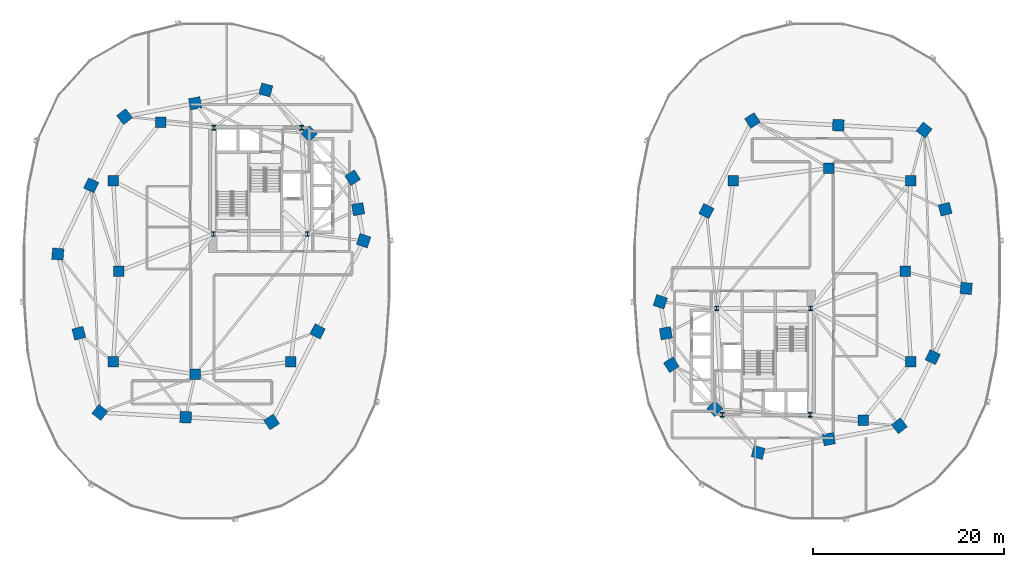
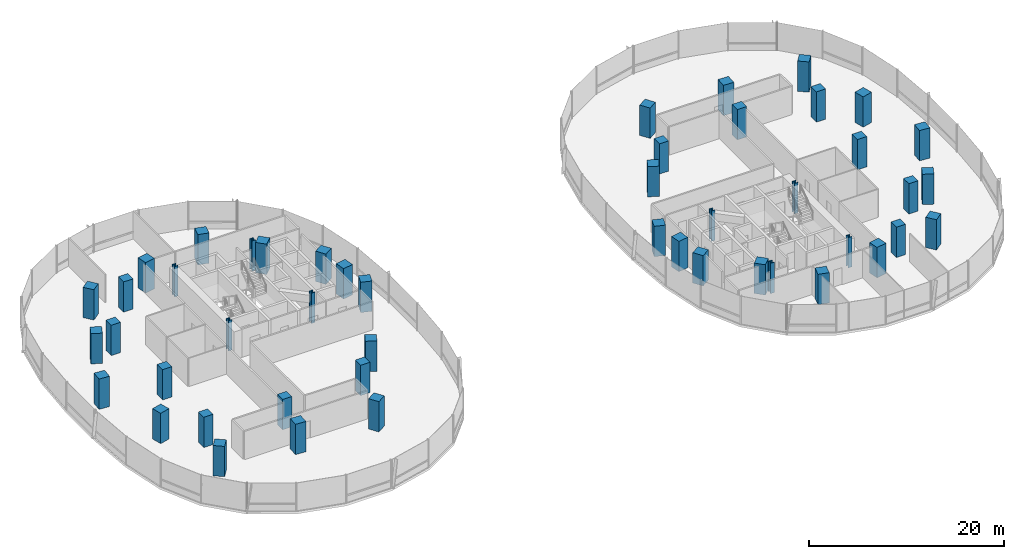
# One storey, part 1 of 21: 48 columns.
"""IFC4 building model written with IfcOpenShell, lengths in metres."""

import ifcopenshell
import ifcopenshell.guid

model = None  # the IFC model being written
_history = None  # IfcOwnerHistory: only IFC2X3 demands one
_inside = {}  # id of a spatial element -> (the spatial element, [elements in it])
_under = {}  # id of a project, library or spatial element -> (it, [spatial elements below it])
_declared = {}  # id of a project -> (the project, [libraries it declares])
_typed = {}  # id of a type object -> (the type object, [elements of that type])
_made_of = {}  # id of a material, layer set ... -> (it, [elements and type objects made of it])


def new_model(schema):
    """Start an empty IFC model of exactly this schema.

    Asked for "IFC4X3", IfcOpenShell would pick the latest addendum, in which some entities
    have other attributes; the version numbers below select the first issue.
    IFC2X3 requires an IfcOwnerHistory on every rooted entity: one is made here for all.
    """
    global model, _history
    if schema == "IFC4X3":
        model = ifcopenshell.file(schema_version=(4, 3, 0, 0))
    else:
        model = ifcopenshell.file(schema=schema)
    _inside.clear()
    _under.clear()
    _declared.clear()
    _typed.clear()
    _made_of.clear()
    _history = None
    if model.schema == "IFC2X3":
        org = make("IfcOrganization", Name="unknown")
        user = make(
            "IfcPersonAndOrganization",
            ThePerson=make("IfcPerson", FamilyName="unknown"),
            TheOrganization=org,
        )
        app = make(
            "IfcApplication",
            ApplicationDeveloper=org,
            Version="unknown",
            ApplicationFullName="unknown",
            ApplicationIdentifier="unknown",
        )
        _history = make(
            "IfcOwnerHistory",
            OwningUser=user,
            OwningApplication=app,
            ChangeAction="ADDED",
            CreationDate=0,
        )
    return model


def make(cls, **values):
    """One entity of the class cls with the attributes given. An attribute that is None is left unset."""
    return model.create_entity(
        cls, **{name: value for name, value in values.items() if value is not None}
    )


def rooted(cls, **values):
    """An entity with a GlobalId (a new one), such as an element, a storey or a relation."""
    return make(cls, GlobalId=ifcopenshell.guid.new(), OwnerHistory=_history, **values)


def si_unit(unit_type, name, prefix=None):
    """IfcSIUnit, for example si_unit("LENGTHUNIT", "METRE", prefix="MILLI")."""
    return make("IfcSIUnit", UnitType=unit_type, Prefix=prefix, Name=name)


def assignment(units):
    """IfcUnitAssignment: the units of a project."""
    return None if units is None else make("IfcUnitAssignment", Units=units)


def point(xyz):
    """IfcCartesianPoint."""
    return None if xyz is None else make("IfcCartesianPoint", Coordinates=xyz)


def direction(xyz):
    """IfcDirection."""
    return None if xyz is None else make("IfcDirection", DirectionRatios=xyz)


def frame(location, z_axis=None, x_axis=None):
    """IfcAxis2Placement3D, a coordinate frame: its origin and axes. An axis left out is left unset."""
    return make(
        "IfcAxis2Placement3D",
        Location=point(location),
        Axis=direction(z_axis),
        RefDirection=direction(x_axis),
    )


def frame_2d(location, x_axis=None):
    """IfcAxis2Placement2D, a coordinate frame in the plane: its origin and x axis."""
    return make(
        "IfcAxis2Placement2D", Location=point(location), RefDirection=direction(x_axis)
    )


def origin():
    """The frame at (0, 0, 0) with its axes left unset."""
    return frame((0.0, 0.0, 0.0))


def origin_2d():
    """The frame at (0, 0) in the plane with its x axis left unset."""
    return frame_2d((0.0, 0.0))


def place(relative_to, where):
    """IfcLocalPlacement: puts the frame where relative to a parent placement (None: the world)."""
    return make(
        "IfcLocalPlacement", PlacementRelTo=relative_to, RelativePlacement=where
    )


def context(
    kind, dimensions, precision=None, world=None, true_north=None, identifier=None
):
    """IfcGeometricRepresentationContext, for example the 3D "Model" context."""
    return make(
        "IfcGeometricRepresentationContext",
        ContextIdentifier=identifier,
        ContextType=kind,
        CoordinateSpaceDimension=dimensions,
        Precision=precision,
        WorldCoordinateSystem=world,
        TrueNorth=true_north,
    )


def subcontext(parent, identifier, kind, view, scale=None):
    """IfcGeometricRepresentationSubContext, for example "Body" below "Model"."""
    return make(
        "IfcGeometricRepresentationSubContext",
        ContextIdentifier=identifier,
        ContextType=kind,
        ParentContext=parent,
        TargetScale=scale,
        TargetView=view,
    )


def project(units=None, contexts=None):
    """IfcProject with its units and contexts."""
    return rooted(
        "IfcProject",
        Name="project",
        RepresentationContexts=contexts,
        UnitsInContext=assignment(units),
    )


def spatial(cls, under=None, at=None, **own):
    """A site, building, storey or space (cls), placed at a placement, below another one or the project."""
    s = rooted(cls, ObjectPlacement=at, **own)
    if under is not None:
        _under.setdefault(under.id(), (under, []))[1].append(s)
    return s


def profile(cls, at=None, kind="AREA", **sizes):
    """A parametric profile (cls). Its sizes go by their IFC names, for example OverallWidth=200.0."""
    return make(cls, ProfileType=kind, Position=at, **sizes)


def rectangle(**sizes):
    """IfcRectangleProfileDef."""
    return profile("IfcRectangleProfileDef", **sizes)


def i_section(**sizes):
    """IfcIShapeProfileDef."""
    return profile("IfcIShapeProfileDef", **sizes)


def extrude(swept, where, along, depth):
    """IfcExtrudedAreaSolid: the profile swept, set in the frame where, extruded along a direction by depth."""
    return make(
        "IfcExtrudedAreaSolid",
        SweptArea=swept,
        Position=where,
        ExtrudedDirection=direction(along),
        Depth=depth,
    )


def shape(context_of_items, identifier, shape_type, items):
    """IfcShapeRepresentation: the items that make up one representation, for example the "Body"."""
    return make(
        "IfcShapeRepresentation",
        ContextOfItems=context_of_items,
        RepresentationIdentifier=identifier,
        RepresentationType=shape_type,
        Items=items,
    )


def material(Name=None, Category=None):
    """IfcMaterial."""
    return make("IfcMaterial", Name=Name, Category=Category)


def material_profile(
    of_material, cross_section, Name=None, Category=None, Priority=None
):
    """IfcMaterialProfile: a cross section and its material."""
    return make(
        "IfcMaterialProfile",
        Name=Name,
        Material=of_material,
        Profile=cross_section,
        Priority=Priority,
        Category=Category,
    )


def profile_set(profiles, Name=None, composite=None):
    """IfcMaterialProfileSet."""
    return make(
        "IfcMaterialProfileSet",
        Name=Name,
        MaterialProfiles=profiles,
        CompositeProfile=composite,
    )


def made_of(thing, what):
    """Note that an element or type object is made of a material, layer set ...; save() writes the relation."""
    if what is not None:
        _made_of.setdefault(what.id(), (what, []))[1].append(thing)
    return thing


def type_object(cls, material=None, **own):
    """A type object (cls), such as IfcWallType, which elements share."""
    return made_of(rooted(cls, **own), material)


def element(
    cls,
    number,
    at=None,
    inside=None,
    cuts=None,
    type_object=None,
    material=None,
    context=None,
    identifier="Body",
    shape_type=None,
    held_by="IfcProductDefinitionShape",
    body=None,
    shapes=None,
    **own,
):
    """One element of the class cls, such as IfcWall. Its Tag is "e" and its number.

    at: its placement. inside: the storey or other place that contains it. cuts: it is an
    opening in that element (IfcRelVoidsElement). A single representation is given by context,
    identifier, shape_type and body (its items); several are given by shapes. held_by: the class
    of the entity that holds the representations. save() writes the other relations.
    """
    e = rooted(cls, Tag="e%d" % number, ObjectPlacement=at, **own)
    if body is not None:
        shapes = [shape(context, identifier, shape_type, body)]
    if shapes is not None:
        e.Representation = make(held_by, Representations=shapes)
    if inside is not None:
        _inside.setdefault(inside.id(), (inside, []))[1].append(e)
    if cuts is not None:
        rooted(
            "IfcRelVoidsElement", RelatingBuildingElement=cuts, RelatedOpeningElement=e
        )
    if type_object is not None:
        _typed.setdefault(type_object.id(), (type_object, []))[1].append(e)
    return made_of(e, material)


def aggregate(whole, parts):
    """IfcRelAggregates: a whole, such as a stair, and the parts it consists of."""
    return rooted("IfcRelAggregates", RelatingObject=whole, RelatedObjects=parts)


def save(model, path):
    """Write the relations noted so far, then the file.

    IfcRelAggregates (storeys below a building ...), IfcRelContainedInSpatialStructure (elements
    in a storey), IfcRelDefinesByType, IfcRelAssociatesMaterial and IfcRelDeclares: one each for
    every whole, place, type object, material and project.
    """
    for whole, parts in _under.values():
        aggregate(whole, parts)
    for where, things in _inside.values():
        rooted(
            "IfcRelContainedInSpatialStructure",
            RelatedElements=things,
            RelatingStructure=where,
        )
    for kind, things in _typed.values():
        rooted("IfcRelDefinesByType", RelatedObjects=things, RelatingType=kind)
    for what, things in _made_of.values():
        rooted("IfcRelAssociatesMaterial", RelatedObjects=things, RelatingMaterial=what)
    for by, libraries in _declared.values():
        rooted("IfcRelDeclares", RelatingContext=by, RelatedDefinitions=libraries)
    model.write(path)


model = new_model("IFC4")

# Units and contexts
model_context = context("Model", 3, precision=1e-05, world=origin(), true_north=direction((0.0, 1.0)))
body_context = subcontext(model_context, "Body", "Model", "MODEL_VIEW")
ifc_project = project(units=[si_unit("LENGTHUNIT", "METRE"), si_unit("AREAUNIT", "SQUARE_METRE"), si_unit("VOLUMEUNIT", "CUBIC_METRE"), si_unit("PLANEANGLEUNIT", "RADIAN"), si_unit("MASSUNIT", "GRAM", prefix="KILO"), si_unit("THERMODYNAMICTEMPERATUREUNIT", "KELVIN"), si_unit("POWERUNIT", "WATT")], contexts=[model_context])

# Site, building, storey
site_placement = place(None, origin())
site = spatial("IfcSite", under=ifc_project, at=site_placement, CompositionType="ELEMENT")
building_placement = place(site_placement, origin())
building = spatial("IfcBuilding", under=site, at=building_placement, Name="Cundina Bronze Exchange", CompositionType="ELEMENT")
storey_placement = place(building_placement, frame((0.0, 0.0, 73.39990234375)))
storey = spatial("IfcBuildingStorey", under=building, at=storey_placement, Name="L18", CompositionType="ELEMENT", Elevation=73.39990234375)

# Columns
ifc_material_1 = material(Name="Steel ASTM A992 Grade 50", Category="steel")
ifc_material_profile_1 = material_profile(ifc_material_1, i_section(OverallWidth=0.431884765625, OverallDepth=0.498046875, WebThickness=0.0556640625, FlangeThickness=0.0888671875, FilletRadius=0.01806640625, at=origin_2d()), Name="W14X500", Category="steel")
ifc_profile_set_1 = profile_set([ifc_material_profile_1], Name="Steel ASTM A992 Grade 50")
column_type_1 = type_object("IfcColumnType", Name="COL-STL-W14A", PredefinedType="COLUMN", material=ifc_profile_set_1)
for number, where, z_axis, x_axis, name in (
    (1, (-31.300048828125, 3.89990234375, 0.0), (0.0, 0.0, 1.0), (1.0, 0.0, 0.0), "L18 Core Anchor Column W1"),
    (2, (-21.449951171875, 3.89990234375, 0.0), (0.0, 0.0, 1.0), (1.0, 0.0, 0.0), "L18 Core Anchor Column W2"),
    (3, (-22.050048828125, 15.050048828125, 0.0), (0.0, 0.0, 1.0), (1.0, 0.0, 0.0), "L18 Core Anchor Column W3"),
    (4, (-31.25, 15.050048828125, 0.0), (0.0, 0.0, 1.0), (1.0, 0.0, 0.0), "L18 Core Anchor Column W4"),
    (5, (31.300048828125, -3.89990234375, 0.0), (0.0, 0.0, 1.0), (1.0, 0.0, 0.0), "L18 Core Anchor Column E1"),
    (6, (21.449951171875, -3.89990234375, 0.0), (0.0, 0.0, 1.0), (1.0, 0.0, 0.0), "L18 Core Anchor Column E2"),
    (7, (22.050048828125, -15.050048828125, 0.0), (0.0, 0.0, 1.0), (1.0, 0.0, 0.0), "L18 Core Anchor Column E3"),
    (8, (31.25, -15.050048828125, 0.0), (0.0, 0.0, 1.0), (1.0, 0.0, 0.0), "L18 Core Anchor Column E4"),
):
    element("IfcColumn", number, at=place(storey_placement, frame(where, z_axis=z_axis, x_axis=x_axis)), inside=storey, type_object=column_type_1, Name=name, PredefinedType="COLUMN", context=body_context, shape_type="SweptSolid", body=[
        extrude(i_section(OverallWidth=0.431884765625, OverallDepth=0.498046875, WebThickness=0.0556640625, FlangeThickness=0.0888671875, FilletRadius=0.01806640625, at=origin_2d()), origin(), (0.0, 0.0, 1.0), 3.800048828125),
    ])
ifc_material_2 = material(Name="Concrete C60/75", Category="concrete")
ifc_material_profile_2 = material_profile(ifc_material_2, rectangle(XDim=1.199951171875, YDim=1.199951171875, at=origin_2d()), Name="RC1200X1200", Category="concrete")
ifc_profile_set_2 = profile_set([ifc_material_profile_2], Name="Concrete C60/75")
column_type_2 = type_object("IfcColumnType", Name="COL-Z1-1200", PredefinedType="COLUMN", material=ifc_profile_set_2)
for number, where, z_axis, x_axis, name in (
    (9, (-15.550048828125, 3.199951171875, 0.0), (0.0, 0.0, 1.0), (0.315152163383, 0.949041155016, 0.0), "L18 W Perimeter Column 00"),
    (10, (-16.125, 6.5, 0.0), (0.0, 0.0, 1.0), (-0.171585221787, 0.985169280715, 0.0), "L18 W Perimeter Column 01"),
    (11, (-16.699951171875, 9.800048828125, 0.0), (0.0, 0.0, 1.0), (-0.544199833495, 0.838955625301, 0.0), "L18 W Perimeter Column 02"),
    (12, (-21.25, 14.39990234375, 0.0), (0.0, 0.0, 1.0), (-0.703270634186, 0.710922228581, 0.0), "L18 W Perimeter Column 03"),
    (13, (-25.800048828125, 19.0, 0.0), (0.0, 0.0, 1.0), (-0.965970984022, 0.258650455301, 0.0), "L18 W Perimeter Column 04"),
    (14, (-33.199951171875, 17.60009765625, 0.0), (0.0, 0.0, 1.0), (-0.98258037664, -0.185838110843, 0.0), "L18 W Perimeter Column 05"),
    (15, (-40.60009765625, 16.199951171875, 0.0), (0.0, 0.0, 1.0), (-0.785100778485, -0.619368038909, 0.0), "L18 W Perimeter Column 06"),
    (16, (-44.10009765625, 9.0, 0.0), (0.0, 0.0, 1.0), (-0.437115766651, -0.899405251566, 0.0), "L18 W Perimeter Column 07"),
    (17, (-47.60009765625, 1.800048828125, 0.0), (0.0, 0.0, 1.0), (-0.083503921245, -0.996507448611, 0.0), "L18 W Perimeter Column 08"),
    (18, (-45.39990234375, -6.5, 0.0), (0.0, 0.0, 1.0), (0.256289373133, -0.966600102017, 0.0), "L18 W Perimeter Column 09"),
    (19, (-43.199951171875, -14.800048828125, 0.0), (0.0, 0.0, 1.0), (0.786288432137, -0.61785961309, 0.0), "L18 W Perimeter Column 10"),
    (20, (-34.199951171875, -15.300048828125, 0.0), (0.0, 0.0, 1.0), (0.998460188734, -0.055472980025, 0.0), "L18 W Perimeter Column 11"),
    (21, (-25.199951171875, -15.800048828125, 0.0), (0.0, 0.0, 1.0), (0.838099763533, 0.545516989988, 0.0), "L18 W Perimeter Column 12"),
    (22, (-20.375, -6.300048828125, 0.0), (0.0, 0.0, 1.0), (0.452901591366, 0.891560513111, 0.0), "L18 W Perimeter Column 13"),
    (23, (15.550048828125, -3.199951171875, 0.0), (0.0, 0.0, 1.0), (-0.315152163383, -0.949041155016, 0.0), "L18 E Perimeter Column 00"),
    (24, (16.125, -6.5, 0.0), (0.0, 0.0, 1.0), (0.171585221787, -0.985169280715, 0.0), "L18 E Perimeter Column 01"),
    (25, (16.699951171875, -9.800048828125, 0.0), (0.0, 0.0, 1.0), (0.544199833495, -0.838955625301, 0.0), "L18 E Perimeter Column 02"),
    (26, (21.25, -14.39990234375, 0.0), (0.0, 0.0, 1.0), (0.703270634186, -0.710922228581, 0.0), "L18 E Perimeter Column 03"),
    (27, (25.800048828125, -19.0, 0.0), (0.0, 0.0, 1.0), (0.965970984022, -0.258650455301, 0.0), "L18 E Perimeter Column 04"),
    (28, (33.199951171875, -17.60009765625, 0.0), (0.0, 0.0, 1.0), (0.98258037664, 0.185838110843, 0.0), "L18 E Perimeter Column 05"),
    (29, (40.60009765625, -16.199951171875, 0.0), (0.0, 0.0, 1.0), (0.785100778485, 0.619368038909, 0.0), "L18 E Perimeter Column 06"),
    (30, (44.10009765625, -9.0, 0.0), (0.0, 0.0, 1.0), (0.437115766651, 0.899405251566, 0.0), "L18 E Perimeter Column 07"),
    (31, (47.60009765625, -1.800048828125, 0.0), (0.0, 0.0, 1.0), (0.083503921245, 0.996507448611, 0.0), "L18 E Perimeter Column 08"),
    (32, (45.39990234375, 6.5, 0.0), (0.0, 0.0, 1.0), (-0.256289373133, 0.966600102017, 0.0), "L18 E Perimeter Column 09"),
    (33, (43.199951171875, 14.800048828125, 0.0), (0.0, 0.0, 1.0), (-0.786288432137, 0.61785961309, 0.0), "L18 E Perimeter Column 10"),
    (34, (34.199951171875, 15.300048828125, 0.0), (0.0, 0.0, 1.0), (-0.998460188734, 0.055472980025, 0.0), "L18 E Perimeter Column 11"),
    (35, (25.199951171875, 15.800048828125, 0.0), (0.0, 0.0, 1.0), (-0.838099763533, -0.545516989988, 0.0), "L18 E Perimeter Column 12"),
    (36, (20.375, 6.300048828125, 0.0), (0.0, 0.0, 1.0), (-0.452901591366, -0.891560513111, 0.0), "L18 E Perimeter Column 13"),
):
    element("IfcColumn", number, at=place(storey_placement, frame(where, z_axis=z_axis, x_axis=x_axis)), inside=storey, type_object=column_type_2, Name=name, PredefinedType="COLUMN", context=body_context, shape_type="SweptSolid", body=[
        extrude(rectangle(XDim=1.199951171875, YDim=1.199951171875, at=origin_2d()), origin(), (0.0, 0.0, 1.0), 3.800048828125),
    ])
ifc_material_profile_3 = material_profile(ifc_material_2, rectangle(XDim=1.10009765625, YDim=1.10009765625, at=origin_2d()), Name="RC1100X1100", Category="concrete")
ifc_profile_set_3 = profile_set([ifc_material_profile_3], Name="Concrete C60/75")
column_type_3 = type_object("IfcColumnType", Name="COL-Z2-1100", PredefinedType="COLUMN", material=ifc_profile_set_3)
for number, where, z_axis, x_axis, name in (
    (37, (-41.199951171875, 0.0, 0.0), (0.0, 0.0, 1.0), (1.0, 0.0, 0.0), "L18 W Inner Ring Column 1"),
    (38, (-41.800048828125, 9.5, 0.0), (0.0, 0.0, 1.0), (1.0, 0.0, 0.0), "L18 W Inner Ring Column 2"),
    (39, (-36.800048828125, 15.60009765625, 0.0), (0.0, 0.0, 1.0), (1.0, 0.0, 0.0), "L18 W Inner Ring Column 3"),
    (40, (-41.800048828125, -9.5, 0.0), (0.0, 0.0, 1.0), (1.0, 0.0, 0.0), "L18 W Inner Ring Column 4"),
    (41, (-33.199951171875, -10.800048828125, 0.0), (0.0, 0.0, 1.0), (1.0, 0.0, 0.0), "L18 W Inner Ring Column 5"),
    (42, (-23.199951171875, -9.5, 0.0), (0.0, 0.0, 1.0), (1.0, 0.0, 0.0), "L18 W Inner Ring Column 6"),
    (43, (41.199951171875, 0.0, 0.0), (0.0, 0.0, 1.0), (1.0, 0.0, 0.0), "L18 E Inner Ring Column 1"),
    (44, (41.800048828125, -9.5, 0.0), (0.0, 0.0, 1.0), (1.0, 0.0, 0.0), "L18 E Inner Ring Column 2"),
    (45, (36.800048828125, -15.60009765625, 0.0), (0.0, 0.0, 1.0), (1.0, 0.0, 0.0), "L18 E Inner Ring Column 3"),
    (46, (41.800048828125, 9.5, 0.0), (0.0, 0.0, 1.0), (1.0, 0.0, 0.0), "L18 E Inner Ring Column 4"),
    (47, (33.199951171875, 10.800048828125, 0.0), (0.0, 0.0, 1.0), (1.0, 0.0, 0.0), "L18 E Inner Ring Column 5"),
    (48, (23.199951171875, 9.5, 0.0), (0.0, 0.0, 1.0), (1.0, 0.0, 0.0), "L18 E Inner Ring Column 6"),
):
    element("IfcColumn", number, at=place(storey_placement, frame(where, z_axis=z_axis, x_axis=x_axis)), inside=storey, type_object=column_type_3, Name=name, PredefinedType="COLUMN", context=body_context, shape_type="SweptSolid", body=[
        extrude(rectangle(XDim=1.10009765625, YDim=1.10009765625, at=origin_2d()), origin(), (0.0, 0.0, 1.0), 3.800048828125),
    ])

save(model, "model.ifc")
